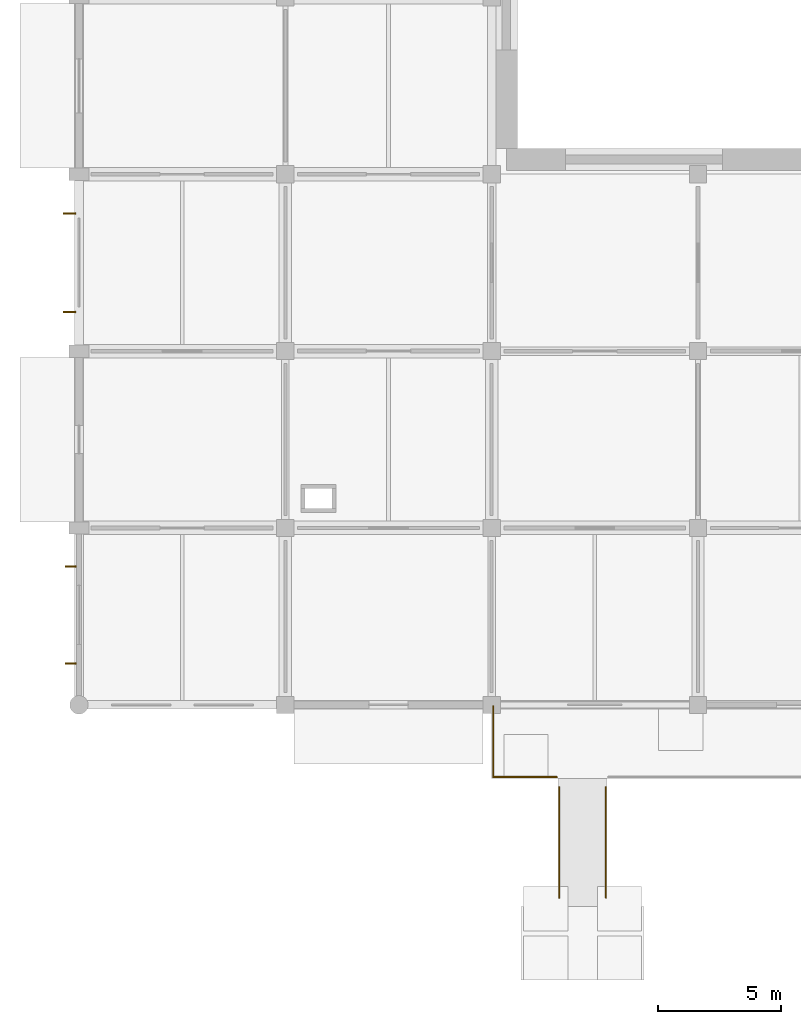
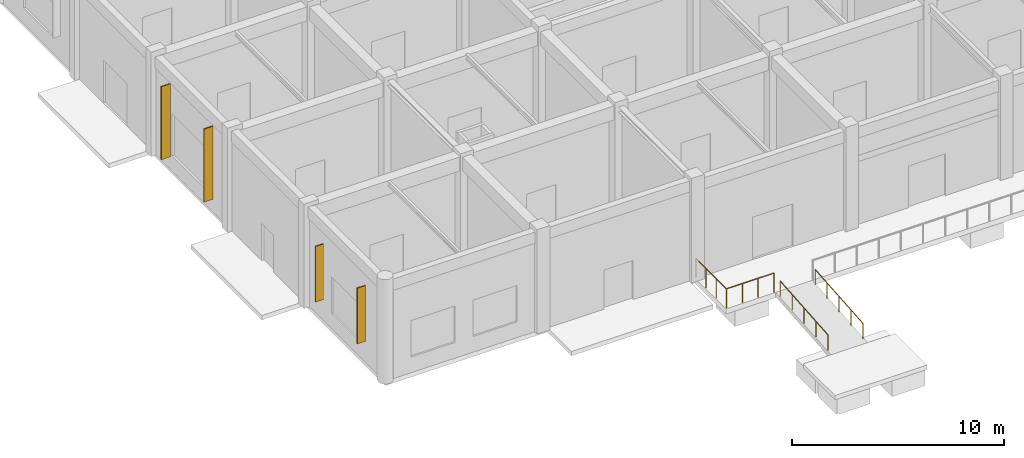
# One storey, part 29 of 39: 4 railings, 4 shading devices.
"""IFC4 building model written with IfcOpenShell, lengths in metres."""

from ifc_helpers import new_model, si_unit, derived_unit, direction, frame, origin, origin_2d, place, context, subcontext, project, spatial, rectangle, circle, extrude, material, layer, layer_set, type_object, element, save


model = new_model("IFC4")

# Units and contexts
model_context = context("Model", 3, precision=1e-05, world=origin(), true_north=direction((0.0, 1.0)))
body_context = subcontext(model_context, "Body", "Model", "MODEL_VIEW")
ifc_project = project(units=[si_unit("LENGTHUNIT", "METRE"), si_unit("AREAUNIT", "SQUARE_METRE"), si_unit("VOLUMEUNIT", "CUBIC_METRE"), si_unit("PLANEANGLEUNIT", "RADIAN"), si_unit("MASSUNIT", "GRAM", prefix="KILO"), derived_unit("THERMALTRANSMITTANCEUNIT", [(si_unit("MASSUNIT", "GRAM", prefix="KILO"), 1), (si_unit("TIMEUNIT", "SECOND"), -3), (si_unit("THERMODYNAMICTEMPERATUREUNIT", "KELVIN"), -1)])], contexts=[model_context])

# Site, building, storey
site_placement = place(None, origin())
site = spatial("IfcSite", under=ifc_project, at=site_placement, CompositionType="ELEMENT")
building_placement = place(site_placement, origin())
building = spatial("IfcBuilding", under=site, at=building_placement, Name="Veldstrom Oceanarium and Marine Research Institute", CompositionType="ELEMENT")
storey_placement = place(building_placement, origin())
storey = spatial("IfcBuildingStorey", under=building, at=storey_placement, Name="L00", CompositionType="ELEMENT", Elevation=0.0)

# Railings
ifc_material_1 = material(Name="Duplex Stainless Steel Balustrade", Category="steel")
ifc_layer_1 = layer(ifc_material_1, 0.06005859375)
ifc_layer_set_1 = layer_set([ifc_layer_1], Name="ARC-RLG-GR1")
railing_type_1 = type_object("IfcRailingType", Name="ARC-RLG-GR1", PredefinedType="GUARDRAIL", material=ifc_layer_set_1)
railing_1_placement = place(storey_placement, frame((16.860107421875, -2.93994140625, 0.0)))
element("IfcRailing", 1, at=railing_1_placement, inside=storey, type_object=railing_type_1, Name="Forecourt Plaza South Guardrail West", PredefinedType="GUARDRAIL", context=body_context, shape_type="SweptSolid", body=[
    extrude(circle(Radius=0.02392578125, at=origin_2d()), frame((0.0, 0.0, 1.09619140625), z_axis=(1.0, 0.0, 0.0), x_axis=(0.0, 1.0, 0.0)), (0.0, 0.0, 1.0), 2.58984375),
    extrude(circle(Radius=0.02099609375, at=origin_2d()), origin(), (0.0, 0.0, 1.0), 1.072021484375),
    extrude(circle(Radius=0.02099609375, at=origin_2d()), frame((0.86328125, 0.0, 0.0)), (0.0, 0.0, 1.0), 1.072021484375),
    extrude(circle(Radius=0.02099609375, at=origin_2d()), frame((1.7265625, 0.0, 0.0)), (0.0, 0.0, 1.0), 1.072021484375),
    extrude(circle(Radius=0.02099609375, at=origin_2d()), frame((2.58984375, 0.0, 0.0)), (0.0, 0.0, 1.0), 1.072021484375),
])
railing_2_placement = place(storey_placement, frame((16.860107421875, -2.93994140625, 0.0)))
element("IfcRailing", 2, at=railing_2_placement, inside=storey, type_object=railing_type_1, Name="Forecourt Plaza W Guardrail", PredefinedType="GUARDRAIL", context=body_context, shape_type="SweptSolid", body=[
    extrude(circle(Radius=0.02392578125, at=origin_2d()), frame((0.0, 0.0, 1.09619140625), z_axis=(0.0, 1.0, 0.0), x_axis=(-1.0, 0.0, 0.0)), (0.0, 0.0, 1.0), 2.8798828125),
    extrude(circle(Radius=0.02099609375, at=origin_2d()), origin(), (0.0, 0.0, 1.0), 1.072021484375),
    extrude(circle(Radius=0.02099609375, at=origin_2d()), frame((0.0, 0.9599609375, 0.0)), (0.0, 0.0, 1.0), 1.072021484375),
    extrude(circle(Radius=0.02099609375, at=origin_2d()), frame((0.0, 1.919921875, 0.0)), (0.0, 0.0, 1.0), 1.072021484375),
    extrude(circle(Radius=0.02099609375, at=origin_2d()), frame((0.0, 2.8798828125, 0.0)), (0.0, 0.0, 1.0), 1.072021484375),
])
ifc_material_2 = material(Name="Brushed Stainless Steel Handrail", Category="steel")
ifc_layer_2 = layer(ifc_material_2, 0.050048828125)
ifc_layer_set_2 = layer_set([ifc_layer_2], Name="ARC-RLG-HR1")
railing_type_2 = type_object("IfcRailingType", Name="ARC-RLG-HR1", PredefinedType="HANDRAIL", material=ifc_layer_set_2)
for number, where, name in (
    (3, (19.550048828125, -7.85009765625, -0.39990234375), "Accessible Ramp Handrail W"),
    (4, (21.449951171875, -7.85009765625, -0.39990234375), "Accessible Ramp Handrail E"),
):
    element("IfcRailing", number, at=place(storey_placement, frame(where)), inside=storey, type_object=railing_type_2, Name=name, PredefinedType="HANDRAIL", context=body_context, shape_type="SweptSolid", body=[
        extrude(circle(Radius=0.02392578125, at=origin_2d()), frame((0.0, 0.0, 0.8759765625), z_axis=(0.0, 0.996621411288, 0.082132591349), x_axis=(-1.0, 0.0, 0.0)), (0.0, 0.0, 1.0), 4.51513671875),
        extrude(circle(Radius=0.02099609375, at=origin_2d()), origin(), (0.0, 0.0, 1.0), 0.851806640625),
        extrude(circle(Radius=0.02099609375, at=origin_2d()), frame((0.0, 1.125, 0.0927734375)), (0.0, 0.0, 1.0), 0.851806640625),
        extrude(circle(Radius=0.02099609375, at=origin_2d()), frame((0.0, 2.25, 0.185546875)), (0.0, 0.0, 1.0), 0.851806640625),
        extrude(circle(Radius=0.02099609375, at=origin_2d()), frame((0.0, 3.375, 0.278076171875)), (0.0, 0.0, 1.0), 0.851806640625),
        extrude(circle(Radius=0.02099609375, at=origin_2d()), frame((0.0, 4.5, 0.370849609375)), (0.0, 0.0, 1.0), 0.851806640625),
    ])

# Shading devices
ifc_material_3 = material(Name="Precast Terracotta Brise-Soleil Louvre", Category="masonry")
ifc_layer_3 = layer(ifc_material_3, 3.199951171875)
ifc_layer_set_3 = layer_set([ifc_layer_3], Name="ARC-SHD-BS02")
shading_device_type_1 = type_object("IfcShadingDeviceType", Name="ARC-SHD-BS02", PredefinedType="JALOUSIE", material=ifc_layer_set_3)
for number, where, z_axis, x_axis, name in (
    (5, (-0.327392578125, 1.68994140625, 1.2373046875), (0.0, 0.0, 1.0), (1.0, 0.0, 0.0), "Terracotta Brise-Soleil Louvre L00-001"),
    (6, (-0.327392578125, 5.635009765625, 1.2373046875), (0.0, 0.0, 1.0), (1.0, 0.0, 0.0), "Terracotta Brise-Soleil Louvre L00-001"),
):
    element("IfcShadingDevice", number, at=place(storey_placement, frame(where, z_axis=z_axis, x_axis=x_axis)), inside=storey, type_object=shading_device_type_1, Name=name, PredefinedType="JALOUSIE", context=body_context, shape_type="SweptSolid", body=[
        extrude(rectangle(XDim=0.449951171875, YDim=0.06005859375, at=origin_2d()), origin(), (0.0, 0.0, 1.0), 3.199951171875),
    ])
ifc_material_4 = material(Name="Precast Terracotta Brise-Soleil Louvre", Category="masonry")
ifc_layer_4 = layer(ifc_material_4, 4.199951171875)
ifc_layer_set_4 = layer_set([ifc_layer_4], Name="ARC-SHD-BS03")
shading_device_type_2 = type_object("IfcShadingDeviceType", Name="ARC-SHD-BS03", PredefinedType="JALOUSIE", material=ifc_layer_set_4)
for number, where, z_axis, x_axis, name in (
    (7, (-0.389892578125, 15.989990234375, 0.7373046875), (0.0, 0.0, 1.0), (1.0, 0.0, 0.0), "Terracotta Brise-Soleil Louvre L00-002"),
    (8, (-0.389892578125, 20.010009765625, 0.7373046875), (0.0, 0.0, 1.0), (1.0, 0.0, 0.0), "Terracotta Brise-Soleil Louvre L00-002"),
):
    element("IfcShadingDevice", number, at=place(storey_placement, frame(where, z_axis=z_axis, x_axis=x_axis)), inside=storey, type_object=shading_device_type_2, Name=name, PredefinedType="JALOUSIE", context=body_context, shape_type="SweptSolid", body=[
        extrude(rectangle(XDim=0.5, YDim=0.06494140625, at=origin_2d()), origin(), (0.0, 0.0, 1.0), 4.199951171875),
    ])

save(model, "model.ifc")
